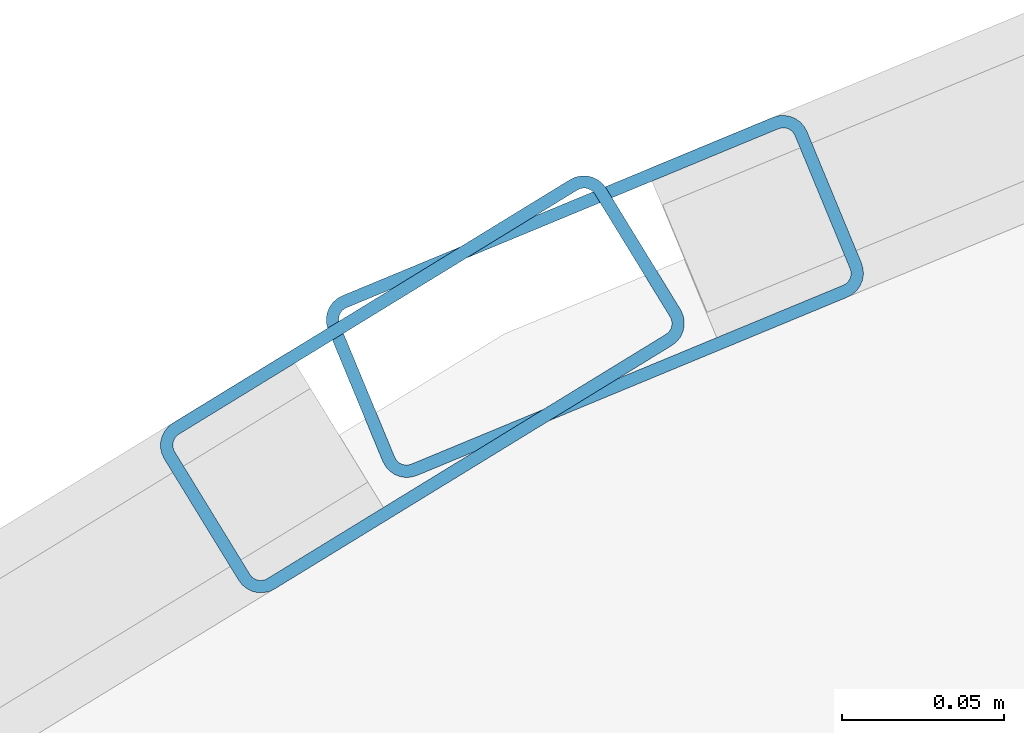
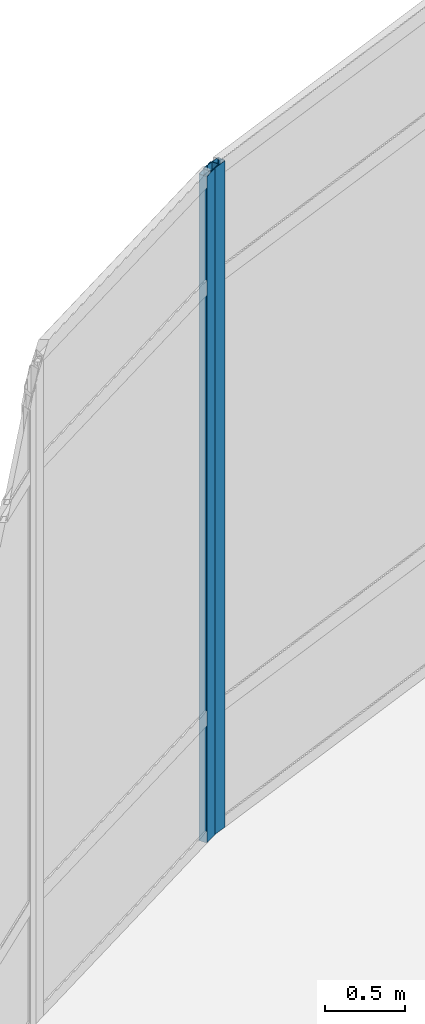
# One storey, part 21 of 114: 2 members, 2 elements without a shape of their own.
"""IFC4 building model written with IfcOpenShell, lengths in metres."""

from ifc_helpers import new_model, si_unit, derived_unit, direction, frame, origin, origin_2d, place, context, subcontext, project, spatial, hollow_rectangle, extrude, material, layer, layer_set, material_profile, profile_set, type_object, element, aggregate, save


model = new_model("IFC4")

# Units and contexts
model_context = context("Model", 3, precision=1e-05, world=origin(), true_north=direction((0.0, 1.0)))
body_context = subcontext(model_context, "Body", "Model", "MODEL_VIEW")
ifc_project = project(units=[si_unit("LENGTHUNIT", "METRE"), si_unit("AREAUNIT", "SQUARE_METRE"), si_unit("VOLUMEUNIT", "CUBIC_METRE"), si_unit("PLANEANGLEUNIT", "RADIAN"), si_unit("MASSUNIT", "GRAM", prefix="KILO"), derived_unit("THERMALTRANSMITTANCEUNIT", [(si_unit("MASSUNIT", "GRAM", prefix="KILO"), 1), (si_unit("TIMEUNIT", "SECOND"), -3), (si_unit("THERMODYNAMICTEMPERATUREUNIT", "KELVIN"), -1)])], contexts=[model_context])

# Site, building, storey
site_placement = place(None, origin())
site = spatial("IfcSite", under=ifc_project, at=site_placement, CompositionType="ELEMENT")
building_placement = place(site_placement, origin())
building = spatial("IfcBuilding", under=site, at=building_placement, Name="Qinzheling Arcade Emporium", CompositionType="ELEMENT")
storey_placement = place(building_placement, frame((0.0, 0.0, 6.0)))
storey = spatial("IfcBuildingStorey", under=building, at=storey_placement, Name="L02", CompositionType="ELEMENT", Elevation=6.0)

# Curtain wall, member
ifc_material_1 = material(Name="Anodised aluminium and solar-control double glazing", Category="aluminium")
ifc_layer = layer(ifc_material_1, 0.159912109375, Name="Anodised aluminium and solar-control double glazing", Category="aluminium")
ifc_layer_set = layer_set([ifc_layer], Name="Anodised aluminium and solar-control double glazing")
curtain_wall_type = type_object("IfcCurtainWallType", Name="Curved Ribbon Sales Curtain Wall", PredefinedType="NOTDEFINED", material=ifc_layer_set)
curtain_wall_1_placement = place(storey_placement, origin())
curtain_wall_1 = element("IfcCurtainWall", 1, at=curtain_wall_1_placement, inside=storey, type_object=curtain_wall_type, Name="Curtain Wall CW-L02-090", PredefinedType="NOTDEFINED")
ifc_material_2 = material(Name="Anodised aluminium 6063-T6", Category="aluminium")
ifc_material_profile = material_profile(ifc_material_2, hollow_rectangle(XDim=0.06005859375, YDim=0.159912109375, WallThickness=0.00390625, InnerFilletRadius=0.00390625, OuterFilletRadius=0.008056640625, at=origin_2d()), Name="RHS 160x60x4", Category="aluminium")
ifc_profile_set = profile_set([ifc_material_profile], Name="Anodised aluminium 6063-T6")
member_type = type_object("IfcMemberType", Name="Curtain Wall Mullion RHS160x60", PredefinedType="MULLION", material=ifc_profile_set)
member_1_placement = place(storey_placement, frame((16.864501953125, 63.749267578125, 0.0), z_axis=(0.0, 0.0, 1.0), x_axis=(-0.522532172191, 0.852619568756, 0.0)))
member_1 = element("IfcMember", 2, at=member_1_placement, type_object=member_type, Name="CW02 mullion 2", PredefinedType="MULLION", context=body_context, shape_type="SweptSolid", body=[
    extrude(hollow_rectangle(XDim=0.06005859375, YDim=0.159912109375, WallThickness=0.00390625, InnerFilletRadius=0.00390625, OuterFilletRadius=0.008056640625, at=origin_2d()), origin(), (0.0, 0.0, 1.0), 5.090087890625),
])
aggregate(curtain_wall_1, [member_1])

curtain_wall_2_placement = place(storey_placement, origin())
curtain_wall_2 = element("IfcCurtainWall", 3, at=curtain_wall_2_placement, inside=storey, type_object=curtain_wall_type, Name="Curtain Wall CW-L02-091", PredefinedType="NOTDEFINED")
member_2_placement = place(storey_placement, frame((16.917724609375, 63.7763671875, 0.0), z_axis=(0.0, 0.0, 1.0), x_axis=(-0.382714431752, 0.923866691535, 0.0)))
member_2 = element("IfcMember", 4, at=member_2_placement, type_object=member_type, Name="CW02 mullion 1", PredefinedType="MULLION", context=body_context, shape_type="SweptSolid", body=[
    extrude(hollow_rectangle(XDim=0.06005859375, YDim=0.159912109375, WallThickness=0.00390625, InnerFilletRadius=0.00390625, OuterFilletRadius=0.008056640625, at=origin_2d()), origin(), (0.0, 0.0, 1.0), 5.090087890625),
])
aggregate(curtain_wall_2, [member_2])

save(model, "model.ifc")
